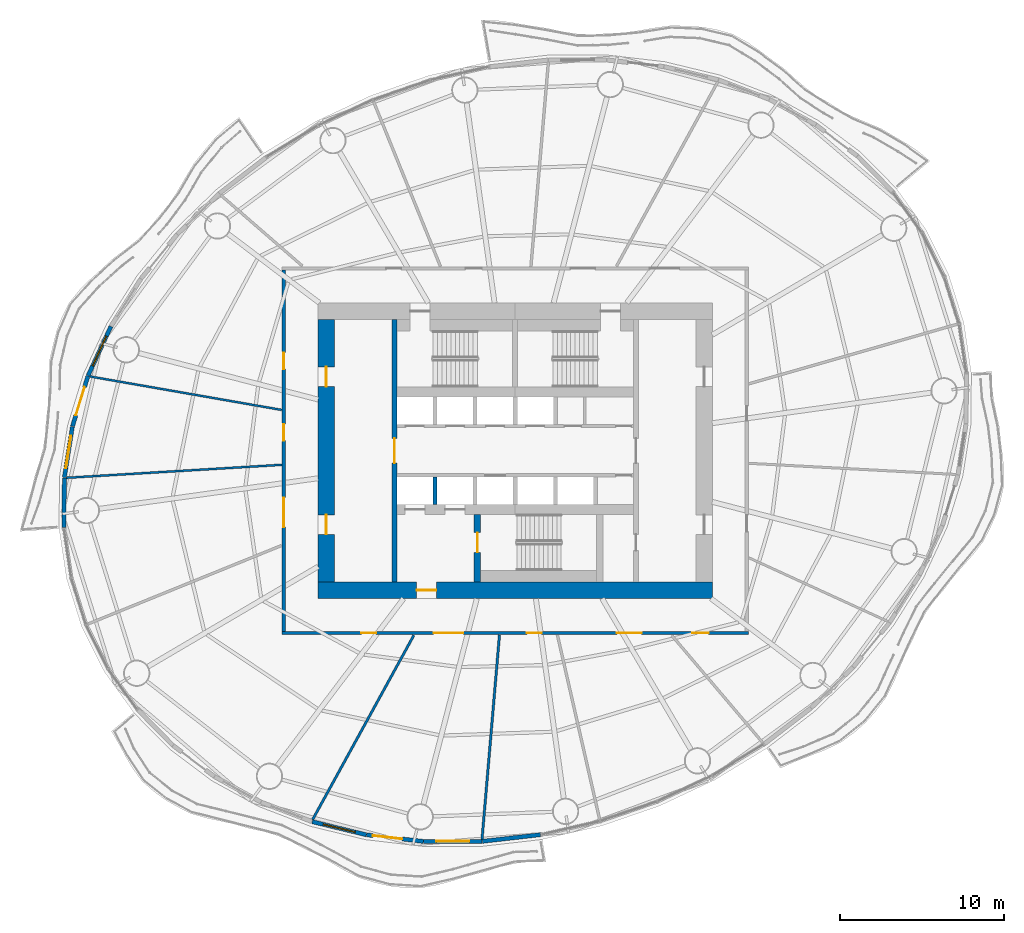
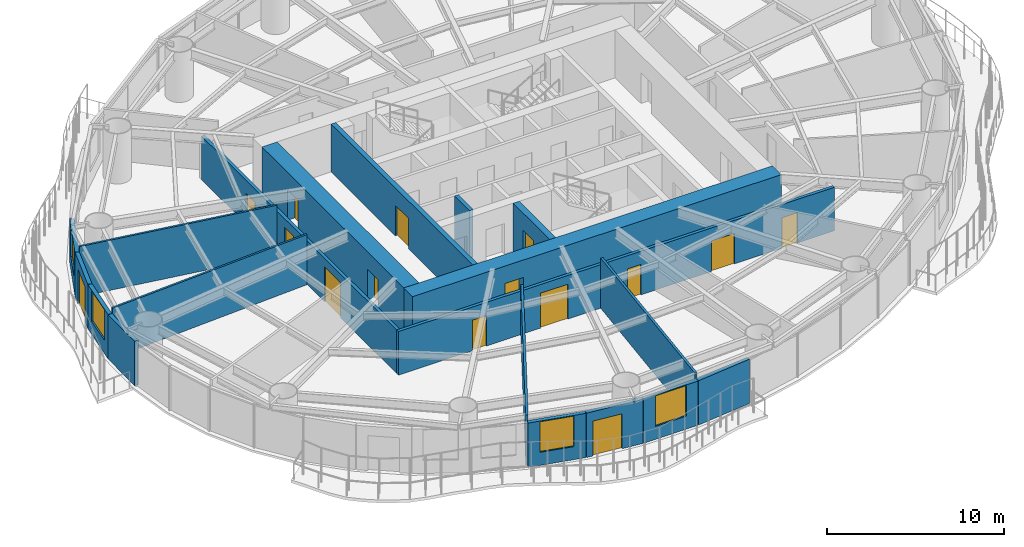
# One storey, part 7 of 15: 19 walls, 15 doors, 4 windows, 19 openings.
"""IFC4 building model written with IfcOpenShell, lengths in metres."""

from ifc_helpers import new_model, si_unit, direction, frame, frame_2d, origin, place, context, subcontext, project, spatial, rectangle, extrude, material, layer, layer_set, type_object, element, fill, save


model = new_model("IFC4")

# Units and contexts
model_context = context("Model", 3, precision=1e-05, world=origin(), true_north=direction((0.0, 1.0)))
body_context = subcontext(model_context, "Body", "Model", "MODEL_VIEW")
ifc_project = project(units=[si_unit("LENGTHUNIT", "METRE"), si_unit("AREAUNIT", "SQUARE_METRE"), si_unit("VOLUMEUNIT", "CUBIC_METRE"), si_unit("PLANEANGLEUNIT", "RADIAN"), si_unit("MASSUNIT", "GRAM", prefix="KILO")], contexts=[model_context])

# Site, building, storey
site_placement = place(None, origin())
site = spatial("IfcSite", under=ifc_project, at=site_placement, CompositionType="ELEMENT")
building_placement = place(site_placement, origin())
building = spatial("IfcBuilding", under=site, at=building_placement, Name="Vermilion Reach Broadcast Tower", CompositionType="ELEMENT")
storey_placement = place(building_placement, frame((0.0, 0.0, 121.0)))
storey = spatial("IfcBuildingStorey", under=building, at=storey_placement, Name="L28", CompositionType="ELEMENT", Elevation=121.0)

# Wall, opening, door
ifc_material_1 = material(Name="Concrete C70", Category="concrete")
ifc_layer_1 = layer(ifc_material_1, 0.300048828125)
ifc_layer_set_1 = layer_set([ifc_layer_1], Name="Core inner wall 300 mm Concrete C70")
wall_type_1 = type_object("IfcWallType", Name="Core inner wall 300 mm Concrete C70", PredefinedType="SHEAR", material=ifc_layer_set_1)
wall_1_placement = place(storey_placement, frame((-13.35009765625, 8.0, 0.0), z_axis=(0.0, 0.0, 1.0), x_axis=(0.0, -1.0, 0.0)))
wall_1 = element("IfcWall", 1, at=wall_1_placement, inside=storey, type_object=wall_type_1, Name="L28 core wall ewW", PredefinedType="SHEAR", context=body_context, shape_type="SweptSolid", body=[
    extrude(rectangle(XDim=16.0, YDim=0.300048828125, at=frame_2d((8.0, 0.0))), origin(), (0.0, 0.0, 1.0), 3.300048828125),
])
opening_1_placement = place(wall_1_placement, frame((7.25, 0.0, 0.0)))
opening_1 = element("IfcOpeningElement", 2, at=opening_1_placement, cuts=wall_1, Name="Opening D04", PredefinedType="OPENING", context=body_context, shape_type="SweptSolid", body=[
    extrude(rectangle(XDim=1.5, YDim=2.10009765625, at=frame_2d((0.75, 1.050048828125))), frame((0.0, 0.159912109375, 0.0), z_axis=(0.0, -1.0, 0.0), x_axis=(1.0, 0.0, 0.0)), (0.0, 0.0, 1.0), 0.320068359375),
])
ifc_material_2 = material(Name="Painted steel fire door", Category="steel")
door_type_1 = type_object("IfcDoorType", Name="Lift lobby door 1500 x 2100", OperationType="DOUBLE_DOOR_SINGLE_SWING", PredefinedType="NOTDEFINED", material=ifc_material_2)
door_1_placement = place(opening_1_placement, origin())
door_1 = element("IfcDoor", 3, at=door_1_placement, inside=storey, type_object=door_type_1, Name="L28 band door BW", OperationType="DOUBLE_DOOR_SINGLE_SWING", OverallHeight=2.10009765625, OverallWidth=1.5, PredefinedType="NOTDEFINED", context=body_context, shape_type="SweptSolid", body=[
    extrude(rectangle(XDim=1.5, YDim=2.10009765625, at=frame_2d((0.75, 1.050048828125))), frame((0.0, 0.02490234375, 0.0), z_axis=(0.0, -1.0, 0.0), x_axis=(1.0, 0.0, 0.0)), (0.0, 0.0, 1.0), 0.050048828125),
])
fill(opening_1, door_1)

ifc_material_3 = material(Name="Concrete C70", Category="concrete")
ifc_layer_2 = layer(ifc_material_3, 0.39990234375)
ifc_layer_set_2 = layer_set([ifc_layer_2], Name="Core inner wall 400 mm Concrete C70")
wall_type_2 = type_object("IfcWallType", Name="Core inner wall 400 mm Concrete C70", PredefinedType="SHEAR", material=ifc_layer_set_2)
wall_2_placement = place(storey_placement, frame((-8.300048828125, -3.8798828125, 0.0), z_axis=(0.0, 0.0, 1.0), x_axis=(0.0, -1.0, 0.0)))
wall_2 = element("IfcWall", 4, at=wall_2_placement, inside=storey, type_object=wall_type_2, Name="L28 core wall wa", PredefinedType="SHEAR", context=body_context, shape_type="SweptSolid", body=[
    extrude(rectangle(XDim=4.1201171875, YDim=0.39990234375, at=frame_2d((2.06005859375, 0.0))), origin(), (0.0, 0.0, 1.0), 3.300048828125),
])
opening_2_placement = place(wall_2_placement, frame((1.110107421875, 0.0, 0.0)))
opening_2 = element("IfcOpeningElement", 5, at=opening_2_placement, cuts=wall_2, Name="Opening D01", PredefinedType="OPENING", context=body_context, shape_type="SweptSolid", body=[
    extrude(rectangle(XDim=1.199951171875, YDim=2.10009765625, at=frame_2d((0.60009765625, 1.050048828125))), frame((0.0, 0.2099609375, 0.0), z_axis=(0.0, -1.0, 0.0), x_axis=(1.0, 0.0, 0.0)), (0.0, 0.0, 1.0), 0.419921875),
])
ifc_material_4 = material(Name="Painted steel fire door", Category="steel")
door_type_2 = type_object("IfcDoorType", Name="Stair door 1200 x 2100", OperationType="DOUBLE_DOOR_SINGLE_SWING", PredefinedType="NOTDEFINED", material=ifc_material_4)
door_2_placement = place(opening_2_placement, origin())
door_2 = element("IfcDoor", 6, at=door_2_placement, inside=storey, type_object=door_type_2, Name="L28 stair door ST3", OperationType="DOUBLE_DOOR_SINGLE_SWING", OverallHeight=2.10009765625, OverallWidth=1.199951171875, PredefinedType="NOTDEFINED", context=body_context, shape_type="SweptSolid", body=[
    extrude(rectangle(XDim=1.199951171875, YDim=2.10009765625, at=frame_2d((0.60009765625, 1.050048828125))), frame((0.0, 0.02490234375, 0.0), z_axis=(0.0, -1.0, 0.0), x_axis=(1.0, 0.0, 0.0)), (0.0, 0.0, 1.0), 0.050048828125),
])
fill(opening_2, door_2)

ifc_material_5 = material(Name="Concrete C70", Category="concrete")
ifc_layer_3 = layer(ifc_material_5, 1.0)
ifc_layer_set_3 = layer_set([ifc_layer_3], Name="Core outer wall 1000 mm Concrete C70")
wall_type_3 = type_object("IfcWallType", Name="Core outer wall 1000 mm Concrete C70", PredefinedType="SHEAR", material=ifc_layer_set_3)
wall_3_placement = place(storey_placement, frame((-18.0, -8.5, 0.0), z_axis=(0.0, 0.0, 1.0), x_axis=(1.0, 0.0, 0.0)))
wall_3 = element("IfcWall", 7, at=wall_3_placement, inside=storey, type_object=wall_type_3, Name="L28 core wall os", PredefinedType="SHEAR", context=body_context, shape_type="SweptSolid", body=[
    extrude(rectangle(XDim=24.0, YDim=1.0, at=frame_2d((12.0, 0.0))), origin(), (0.0, 0.0, 1.0), 3.300048828125),
])
opening_3_placement = place(wall_3_placement, frame((6.0, 0.0, 0.0)))
opening_3 = element("IfcOpeningElement", 8, at=opening_3_placement, cuts=wall_3, Name="Opening D02", PredefinedType="OPENING", context=body_context, shape_type="SweptSolid", body=[
    extrude(rectangle(XDim=1.199951171875, YDim=2.10009765625, at=frame_2d((0.60009765625, 1.050048828125))), frame((0.0, 0.510009765625, 0.0), z_axis=(0.0, -1.0, 0.0), x_axis=(1.0, 0.0, 0.0)), (0.0, 0.0, 1.0), 1.02001953125),
])
ifc_material_6 = material(Name="Painted steel fire door", Category="steel")
door_type_3 = type_object("IfcDoorType", Name="Firefighting lobby door 1200 x 2100", OperationType="DOUBLE_DOOR_SINGLE_SWING", PredefinedType="NOTDEFINED", material=ifc_material_6)
door_3_placement = place(opening_3_placement, origin())
door_3 = element("IfcDoor", 9, at=door_3_placement, inside=storey, type_object=door_type_3, Name="L28 ffdoor door FFL", OperationType="DOUBLE_DOOR_SINGLE_SWING", OverallHeight=2.10009765625, OverallWidth=1.199951171875, PredefinedType="NOTDEFINED", context=body_context, shape_type="SweptSolid", body=[
    extrude(rectangle(XDim=1.199951171875, YDim=2.10009765625, at=frame_2d((0.60009765625, 1.050048828125))), frame((0.0, 0.02490234375, 0.0), z_axis=(0.0, -1.0, 0.0), x_axis=(1.0, 0.0, 0.0)), (0.0, 0.0, 1.0), 0.050048828125),
])
fill(opening_3, door_3)

# Wall, openings, doors
wall_4_placement = place(storey_placement, frame((-17.5, 8.0, 0.0), z_axis=(0.0, 0.0, 1.0), x_axis=(0.0, -1.0, 0.0)))
wall_4 = element("IfcWall", 10, at=wall_4_placement, inside=storey, type_object=wall_type_3, Name="L28 core wall ow", PredefinedType="SHEAR", context=body_context, shape_type="SweptSolid", body=[
    extrude(rectangle(XDim=16.0, YDim=1.0, at=frame_2d((8.0, 0.0))), origin(), (0.0, 0.0, 1.0), 3.300048828125),
])
opening_4_placement = place(wall_4_placement, frame((11.89990234375, 0.0, 0.0)))
opening_4 = element("IfcOpeningElement", 11, at=opening_4_placement, cuts=wall_4, Name="Opening D03", PredefinedType="OPENING", context=body_context, shape_type="SweptSolid", body=[
    extrude(rectangle(XDim=1.199951171875, YDim=2.10009765625, at=frame_2d((0.60009765625, 1.050048828125))), frame((0.0, 0.510009765625, 0.0), z_axis=(0.0, -1.0, 0.0), x_axis=(1.0, 0.0, 0.0)), (0.0, 0.0, 1.0), 1.02001953125),
])
opening_5_placement = place(wall_4_placement, frame((2.89990234375, 0.0, 0.0)))
opening_5 = element("IfcOpeningElement", 12, at=opening_5_placement, cuts=wall_4, Name="Opening D03", PredefinedType="OPENING", context=body_context, shape_type="SweptSolid", body=[
    extrude(rectangle(XDim=1.199951171875, YDim=2.10009765625, at=frame_2d((0.60009765625, 1.050048828125))), frame((0.0, 0.510009765625, 0.0), z_axis=(0.0, -1.0, 0.0), x_axis=(1.0, 0.0, 0.0)), (0.0, 0.0, 1.0), 1.02001953125),
])
ifc_material_7 = material(Name="Painted steel fire door", Category="steel")
door_type_4 = type_object("IfcDoorType", Name="Core lobby door 1200 x 2100", OperationType="DOUBLE_DOOR_SINGLE_SWING", PredefinedType="NOTDEFINED", material=ifc_material_7)
door_4_placement = place(opening_4_placement, origin())
door_4 = element("IfcDoor", 13, at=door_4_placement, inside=storey, type_object=door_type_4, Name="L28 slot door W0", OperationType="DOUBLE_DOOR_SINGLE_SWING", OverallHeight=2.10009765625, OverallWidth=1.199951171875, PredefinedType="NOTDEFINED", context=body_context, shape_type="SweptSolid", body=[
    extrude(rectangle(XDim=1.199951171875, YDim=2.10009765625, at=frame_2d((0.60009765625, 1.050048828125))), frame((0.0, 0.02490234375, 0.0), z_axis=(0.0, -1.0, 0.0), x_axis=(1.0, 0.0, 0.0)), (0.0, 0.0, 1.0), 0.050048828125),
])
fill(opening_4, door_4)
door_5_placement = place(opening_5_placement, origin())
door_5 = element("IfcDoor", 14, at=door_5_placement, inside=storey, type_object=door_type_4, Name="L28 slot door W1", OperationType="DOUBLE_DOOR_SINGLE_SWING", OverallHeight=2.10009765625, OverallWidth=1.199951171875, PredefinedType="NOTDEFINED", context=body_context, shape_type="SweptSolid", body=[
    extrude(rectangle(XDim=1.199951171875, YDim=2.10009765625, at=frame_2d((0.60009765625, 1.050048828125))), frame((0.0, 0.02490234375, 0.0), z_axis=(0.0, -1.0, 0.0), x_axis=(1.0, 0.0, 0.0)), (0.0, 0.0, 1.0), 0.050048828125),
])
fill(opening_5, door_5)

# Walls
ifc_material_8 = material(Name="Concrete C50", Category="concrete")
ifc_layer_4 = layer(ifc_material_8, 0.25)
ifc_layer_set_4 = layer_set([ifc_layer_4], Name="Core shaft wall 250 mm Concrete C50")
wall_type_4 = type_object("IfcWallType", Name="Core shaft wall 250 mm Concrete C50", PredefinedType="SHEAR", material=ifc_layer_set_4)
wall_5_placement = place(storey_placement, frame((-10.88330078125, -1.60009765625, 0.0), z_axis=(0.0, 0.0, 1.0), x_axis=(0.0, -1.0, 0.0)))
element("IfcWall", 15, at=wall_5_placement, inside=storey, type_object=wall_type_4, Name="L28 core wall psS0", PredefinedType="SHEAR", context=body_context, shape_type="SweptSolid", body=[
    extrude(rectangle(XDim=1.679931640625, YDim=0.25, at=frame_2d((0.83984375, 0.0))), origin(), (0.0, 0.0, 1.0), 3.300048828125),
])
ifc_material_9 = material(Name="Fire-rated plasterboard on steel stud", Category="steel")
ifc_layer_5 = layer(ifc_material_9, 0.125)
ifc_layer_set_5 = layer_set([ifc_layer_5], Name="Partition 125 fire-rated stud")
wall_type_5 = type_object("IfcWallType", Name="Partition 125 fire-rated stud", PredefinedType="PARTITIONING", material=ifc_layer_set_5)
wall_6_placement = place(storey_placement, frame((-31.889404296875, 4.520751953125, 0.0), z_axis=(0.0, 0.0, 1.0), x_axis=(0.985094389191, -0.172014663285, 0.0)))
element("IfcWall", 16, at=wall_6_placement, inside=storey, type_object=wall_type_5, Name="Partition 28.05", PredefinedType="PARTITIONING", context=body_context, shape_type="SweptSolid", body=[
    extrude(rectangle(XDim=11.85546875, YDim=0.125, at=frame_2d((5.927734375, 0.0))), origin(), (0.0, 0.0, 1.0), 3.449951171875),
])
wall_7_placement = place(storey_placement, frame((-33.324462890625, -1.650390625, 0.0), z_axis=(0.0, 0.0, 1.0), x_axis=(0.998180914555, 0.060289815203, 0.0)))
element("IfcWall", 17, at=wall_7_placement, inside=storey, type_object=wall_type_5, Name="Partition 28.06", PredefinedType="PARTITIONING", context=body_context, shape_type="SweptSolid", body=[
    extrude(rectangle(XDim=13.14453125, YDim=0.125, at=frame_2d((6.572265625, 0.0))), origin(), (0.0, 0.0, 1.0), 3.449951171875),
])
ifc_material_10 = material(Name="Lightweight concrete block, plastered", Category="concrete")
ifc_layer_6 = layer(ifc_material_10, 0.14990234375)
ifc_layer_set_6 = layer_set([ifc_layer_6], Name="Partition 150 lightweight block")
wall_type_6 = type_object("IfcWallType", Name="Partition 150 lightweight block", PredefinedType="PARTITIONING", material=ifc_layer_set_6)
wall_8_placement = place(storey_placement, frame((-18.3359375, -22.463134765625, 0.0), z_axis=(0.0, 0.0, 1.0), x_axis=(0.481358172348, 0.876523992777, 0.0)))
element("IfcWall", 18, at=wall_8_placement, inside=storey, type_object=wall_type_6, Name="Partition 28.08", PredefinedType="PARTITIONING", context=body_context, shape_type="SweptSolid", body=[
    extrude(rectangle(XDim=12.80859375, YDim=0.14990234375, at=frame_2d((6.404296875, 0.0))), origin(), (0.0, 0.0, 1.0), 3.449951171875),
])
wall_9_placement = place(storey_placement, frame((-8.02001953125, -23.659912109375, 0.0), z_axis=(0.0, 0.0, 1.0), x_axis=(0.085065958211, 0.996375322232, 0.0)))
element("IfcWall", 19, at=wall_9_placement, inside=storey, type_object=wall_type_6, Name="Partition 28.09", PredefinedType="PARTITIONING", context=body_context, shape_type="SweptSolid", body=[
    extrude(rectangle(XDim=12.4990234375, YDim=0.14990234375, at=frame_2d((6.24951171875, 0.0))), origin(), (0.0, 0.0, 1.0), 3.449951171875),
])

# Wall, opening, window
ifc_material_11 = material(Name="Terracotta rainscreen cladding", Category="masonry")
ifc_layer_7 = layer(ifc_material_11, 0.25)
ifc_layer_set_7 = layer_set([ifc_layer_7], Name="Terracotta rainscreen wall 250")
wall_type_7 = type_object("IfcWallType", Name="Terracotta rainscreen wall 250", PredefinedType="SOLIDWALL", material=ifc_layer_set_7)
wall_10_placement = place(storey_placement, frame((-30.614013671875, 7.56982421875, 0.0), z_axis=(0.0, 0.0, 1.0), x_axis=(-0.420461012784, -0.907310606534, 0.0)))
wall_10 = element("IfcWall", 20, at=wall_10_placement, inside=storey, type_object=wall_type_7, Name="External wall L28 18", PredefinedType="SOLIDWALL", context=body_context, shape_type="SweptSolid", body=[
    extrude(rectangle(XDim=3.298583984375, YDim=0.25, at=frame_2d((1.6494140625, 0.0))), origin(), (0.0, 0.0, 1.0), 3.050048828125),
])
opening_6_placement = place(wall_10_placement, frame((0.6494140625, 0.0, 0.89990234375)))
opening_6 = element("IfcOpeningElement", 21, at=opening_6_placement, cuts=wall_10, Name="Opening W03", PredefinedType="OPENING", context=body_context, shape_type="SweptSolid", body=[
    extrude(rectangle(XDim=2.0, YDim=2.10009765625, at=frame_2d((1.0, 1.050048828125))), frame((0.0, 0.135009765625, 0.0), z_axis=(0.0, -1.0, 0.0), x_axis=(1.0, 0.0, 0.0)), (0.0, 0.0, 1.0), 0.27001953125),
])
ifc_material_12 = material(Name="Low-e laminated clear glass in aluminium frame", Category="aluminium")
window_type = type_object("IfcWindowType", Name="Punched window 2000 x 2100 sill 900", PartitioningType="SINGLE_PANEL", PredefinedType="WINDOW", material=ifc_material_12)
window_1_placement = place(opening_6_placement, origin())
window_1 = element("IfcWindow", 22, at=window_1_placement, inside=storey, type_object=window_type, Name="Window L28 18", OverallHeight=2.10009765625, OverallWidth=2.0, PartitioningType="SINGLE_PANEL", PredefinedType="WINDOW", context=body_context, shape_type="SweptSolid", body=[
    extrude(rectangle(XDim=2.0, YDim=2.10009765625, at=frame_2d((1.0, 1.050048828125))), frame((0.0, 0.030029296875, 0.0), z_axis=(0.0, -1.0, 0.0), x_axis=(1.0, 0.0, 0.0)), (0.0, 0.0, 1.0), 0.06005859375),
])
fill(opening_6, window_1)

# Wall, opening, door
wall_11_placement = place(storey_placement, frame((-32.009765625, 4.5537109375, 0.0), z_axis=(0.0, 0.0, 1.0), x_axis=(-0.294326394651, -0.955704961488, 0.0)))
wall_11 = element("IfcWall", 23, at=wall_11_placement, inside=storey, type_object=wall_type_7, Name="External wall L28 19", PredefinedType="SOLIDWALL", context=body_context, shape_type="SweptSolid", body=[
    extrude(rectangle(XDim=3.209228515625, YDim=0.25, at=frame_2d((1.6044921875, 0.0))), origin(), (0.0, 0.0, 1.0), 3.050048828125),
])
opening_7_placement = place(wall_11_placement, frame((0.705078125, 0.0, 0.0)))
opening_7 = element("IfcOpeningElement", 24, at=opening_7_placement, cuts=wall_11, Name="Opening D70", PredefinedType="OPENING", context=body_context, shape_type="SweptSolid", body=[
    extrude(rectangle(XDim=1.800048828125, YDim=2.39990234375, at=frame_2d((0.89990234375, 1.199951171875))), frame((0.0, 0.135009765625, 0.0), z_axis=(0.0, -1.0, 0.0), x_axis=(1.0, 0.0, 0.0)), (0.0, 0.0, 1.0), 0.27001953125),
])
ifc_material_13 = material(Name="Low-e laminated clear glass in aluminium frame", Category="aluminium")
door_type_5 = type_object("IfcDoorType", Name="Balcony sliding door 1800 x 2400", OperationType="DOUBLE_DOOR_SLIDING", PredefinedType="DOOR", material=ifc_material_13)
door_6_placement = place(opening_7_placement, origin())
door_6 = element("IfcDoor", 25, at=door_6_placement, inside=storey, type_object=door_type_5, Name="Balcony door L28 run 05", OperationType="DOUBLE_DOOR_SLIDING", OverallHeight=2.39990234375, OverallWidth=1.800048828125, PredefinedType="DOOR", context=body_context, shape_type="SweptSolid", body=[
    extrude(rectangle(XDim=1.800048828125, YDim=2.39990234375, at=frame_2d((0.89990234375, 1.199951171875))), frame((0.0, 0.02490234375, 0.0), z_axis=(0.0, -1.0, 0.0), x_axis=(1.0, 0.0, 0.0)), (0.0, 0.0, 1.0), 0.050048828125),
])
fill(opening_7, door_6)

# Wall, opening, window
wall_12_placement = place(storey_placement, frame((-32.9599609375, 1.46142578125, 0.0), z_axis=(0.0, 0.0, 1.0), x_axis=(-0.155782128251, -0.987791439788, 0.0)))
wall_12 = element("IfcWall", 26, at=wall_12_placement, inside=storey, type_object=wall_type_7, Name="External wall L28 20", PredefinedType="SOLIDWALL", context=body_context, shape_type="SweptSolid", body=[
    extrude(rectangle(XDim=3.12646484375, YDim=0.25, at=frame_2d((1.563232421875, 0.0))), origin(), (0.0, 0.0, 1.0), 3.050048828125),
])
opening_8_placement = place(wall_12_placement, frame((0.563232421875, 0.0, 0.89990234375)))
opening_8 = element("IfcOpeningElement", 27, at=opening_8_placement, cuts=wall_12, Name="Opening W03", PredefinedType="OPENING", context=body_context, shape_type="SweptSolid", body=[
    extrude(rectangle(XDim=2.0, YDim=2.10009765625, at=frame_2d((1.0, 1.050048828125))), frame((0.0, 0.135009765625, 0.0), z_axis=(0.0, -1.0, 0.0), x_axis=(1.0, 0.0, 0.0)), (0.0, 0.0, 1.0), 0.27001953125),
])
window_2_placement = place(opening_8_placement, origin())
window_2 = element("IfcWindow", 28, at=window_2_placement, inside=storey, type_object=window_type, Name="Window L28 20", OverallHeight=2.10009765625, OverallWidth=2.0, PartitioningType="SINGLE_PANEL", PredefinedType="WINDOW", context=body_context, shape_type="SweptSolid", body=[
    extrude(rectangle(XDim=2.0, YDim=2.10009765625, at=frame_2d((1.0, 1.050048828125))), frame((0.0, 0.030029296875, 0.0), z_axis=(0.0, -1.0, 0.0), x_axis=(1.0, 0.0, 0.0)), (0.0, 0.0, 1.0), 0.06005859375),
])
fill(opening_8, window_2)

# Wall
wall_13_placement = place(storey_placement, frame((-33.44921875, -1.6533203125, 0.0), z_axis=(0.0, 0.0, 1.0), x_axis=(-0.007366431712, -0.999972867474, 0.0)))
element("IfcWall", 29, at=wall_13_placement, inside=storey, type_object=wall_type_7, Name="External wall L28 21", PredefinedType="SOLIDWALL", context=body_context, shape_type="SweptSolid", body=[
    extrude(rectangle(XDim=3.015869140625, YDim=0.25, at=frame_2d((1.5078125, 0.0))), origin(), (0.0, 0.0, 1.0), 3.050048828125),
])

# Wall, opening, window
wall_14_placement = place(storey_placement, frame((-18.361328125, -22.58544921875, 0.0), z_axis=(0.0, 0.0, 1.0), x_axis=(0.971871596081, -0.235511360088, 0.0)))
wall_14 = element("IfcWall", 30, at=wall_14_placement, inside=storey, type_object=wall_type_7, Name="External wall L28 30", PredefinedType="SOLIDWALL", context=body_context, shape_type="SweptSolid", body=[
    extrude(rectangle(XDim=3.388671875, YDim=0.25, at=frame_2d((1.6943359375, 0.0))), origin(), (0.0, 0.0, 1.0), 3.050048828125),
])
opening_9_placement = place(wall_14_placement, frame((0.694580078125, 0.0, 0.89990234375)))
opening_9 = element("IfcOpeningElement", 31, at=opening_9_placement, cuts=wall_14, Name="Opening W03", PredefinedType="OPENING", context=body_context, shape_type="SweptSolid", body=[
    extrude(rectangle(XDim=2.0, YDim=2.10009765625, at=frame_2d((1.0, 1.050048828125))), frame((0.0, 0.135009765625, 0.0), z_axis=(0.0, -1.0, 0.0), x_axis=(1.0, 0.0, 0.0)), (0.0, 0.0, 1.0), 0.27001953125),
])
window_3_placement = place(opening_9_placement, origin())
window_3 = element("IfcWindow", 32, at=window_3_placement, inside=storey, type_object=window_type, Name="Window L28 30", OverallHeight=2.10009765625, OverallWidth=2.0, PartitioningType="SINGLE_PANEL", PredefinedType="WINDOW", context=body_context, shape_type="SweptSolid", body=[
    extrude(rectangle(XDim=2.0, YDim=2.10009765625, at=frame_2d((1.0, 1.050048828125))), frame((0.0, 0.030029296875, 0.0), z_axis=(0.0, -1.0, 0.0), x_axis=(1.0, 0.0, 0.0)), (0.0, 0.0, 1.0), 0.06005859375),
])
fill(opening_9, window_3)

# Wall, opening, door
wall_15_placement = place(storey_placement, frame((-15.044921875, -23.3876953125, 0.0), z_axis=(0.0, 0.0, 1.0), x_axis=(0.993327429038, -0.115328308409, 0.0)))
wall_15 = element("IfcWall", 33, at=wall_15_placement, inside=storey, type_object=wall_type_7, Name="External wall L28 31", PredefinedType="SOLIDWALL", context=body_context, shape_type="SweptSolid", body=[
    extrude(rectangle(XDim=3.473876953125, YDim=0.25, at=frame_2d((1.73681640625, 0.0))), origin(), (0.0, 0.0, 1.0), 3.050048828125),
])
opening_10_placement = place(wall_15_placement, frame((0.386962890625, 0.0, 0.0)))
opening_10 = element("IfcOpeningElement", 34, at=opening_10_placement, cuts=wall_15, Name="Opening D70", PredefinedType="OPENING", context=body_context, shape_type="SweptSolid", body=[
    extrude(rectangle(XDim=1.800048828125, YDim=2.39990234375, at=frame_2d((0.89990234375, 1.199951171875))), frame((0.0, 0.135009765625, 0.0), z_axis=(0.0, -1.0, 0.0), x_axis=(1.0, 0.0, 0.0)), (0.0, 0.0, 1.0), 0.27001953125),
])
door_7_placement = place(opening_10_placement, origin())
door_7 = element("IfcDoor", 35, at=door_7_placement, inside=storey, type_object=door_type_5, Name="Balcony door L28 run 08", OperationType="DOUBLE_DOOR_SLIDING", OverallHeight=2.39990234375, OverallWidth=1.800048828125, PredefinedType="DOOR", context=body_context, shape_type="SweptSolid", body=[
    extrude(rectangle(XDim=1.800048828125, YDim=2.39990234375, at=frame_2d((0.89990234375, 1.199951171875))), frame((0.0, 0.02490234375, 0.0), z_axis=(0.0, -1.0, 0.0), x_axis=(1.0, 0.0, 0.0)), (0.0, 0.0, 1.0), 0.050048828125),
])
fill(opening_10, door_7)

# Wall, opening, window
wall_16_placement = place(storey_placement, frame((-11.57177734375, -23.78955078125, 0.0), z_axis=(0.0, 0.0, 1.0), x_axis=(0.999999145394, 0.001307368318, 0.0)))
wall_16 = element("IfcWall", 36, at=wall_16_placement, inside=storey, type_object=wall_type_7, Name="External wall L28 32", PredefinedType="SOLIDWALL", context=body_context, shape_type="SweptSolid", body=[
    extrude(rectangle(XDim=3.548095703125, YDim=0.25, at=frame_2d((1.77392578125, 0.0))), origin(), (0.0, 0.0, 1.0), 3.050048828125),
])
opening_11_placement = place(wall_16_placement, frame((0.77392578125, 0.0, 0.89990234375)))
opening_11 = element("IfcOpeningElement", 37, at=opening_11_placement, cuts=wall_16, Name="Opening W03", PredefinedType="OPENING", context=body_context, shape_type="SweptSolid", body=[
    extrude(rectangle(XDim=2.0, YDim=2.10009765625, at=frame_2d((1.0, 1.050048828125))), frame((0.0, 0.135009765625, 0.0), z_axis=(0.0, -1.0, 0.0), x_axis=(1.0, 0.0, 0.0)), (0.0, 0.0, 1.0), 0.27001953125),
])
window_4_placement = place(opening_11_placement, origin())
window_4 = element("IfcWindow", 38, at=window_4_placement, inside=storey, type_object=window_type, Name="Window L28 32", OverallHeight=2.10009765625, OverallWidth=2.0, PartitioningType="SINGLE_PANEL", PredefinedType="WINDOW", context=body_context, shape_type="SweptSolid", body=[
    extrude(rectangle(XDim=2.0, YDim=2.10009765625, at=frame_2d((1.0, 1.050048828125))), frame((0.0, 0.030029296875, 0.0), z_axis=(0.0, -1.0, 0.0), x_axis=(1.0, 0.0, 0.0)), (0.0, 0.0, 1.0), 0.06005859375),
])
fill(opening_11, window_4)

# Wall
wall_17_placement = place(storey_placement, frame((-8.001708984375, -23.783447265625, 0.0), z_axis=(0.0, 0.0, 1.0), x_axis=(0.993503711569, 0.113799714842, 0.0)))
element("IfcWall", 39, at=wall_17_placement, inside=storey, type_object=wall_type_7, Name="External wall L28 33", PredefinedType="SOLIDWALL", context=body_context, shape_type="SweptSolid", body=[
    extrude(rectangle(XDim=3.5634765625, YDim=0.25, at=frame_2d((1.78173828125, 0.0))), origin(), (0.0, 0.0, 1.0), 3.050048828125),
])

# Wall, openings, doors
ifc_material_14 = material(Name="Fire-rated gypsum board partition")
ifc_layer_8 = layer(ifc_material_14, 0.199951171875)
ifc_layer_set_8 = layer_set([ifc_layer_8], Name="Under girder: Corridor wall 200 fire-rated")
wall_type_8 = type_object("IfcWallType", Name="Under girder: Corridor wall 200 fire-rated", PredefinedType="PARTITIONING", material=ifc_layer_set_8)
wall_18_placement = place(storey_placement, frame((8.199951171875, -11.10009765625, 0.0), z_axis=(0.0, 0.0, 1.0), x_axis=(-1.0, 0.0, 0.0)))
wall_18 = element("IfcWall", 40, at=wall_18_placement, inside=storey, type_object=wall_type_8, Name="Corridor wall 28.S", PredefinedType="PARTITIONING", context=body_context, shape_type="SweptSolid", body=[
    extrude(rectangle(XDim=28.39990234375, YDim=0.199951171875, at=frame_2d((14.199951171875, 0.0))), origin(), (0.0, 0.0, 1.0), 3.0),
])
opening_12_placement = place(wall_18_placement, frame((22.66552734375, 0.0, 0.0)))
opening_12 = element("IfcOpeningElement", 41, at=opening_12_placement, cuts=wall_18, Name="Opening D22", PredefinedType="OPENING", context=body_context, shape_type="SweptSolid", body=[
    extrude(rectangle(XDim=0.89990234375, YDim=2.10009765625, at=frame_2d((0.449951171875, 1.050048828125))), frame((0.0, 0.10986328125, 0.0), z_axis=(0.0, -1.0, 0.0), x_axis=(1.0, 0.0, 0.0)), (0.0, 0.0, 1.0), 0.219970703125),
])
opening_13_placement = place(wall_18_placement, frame((17.3623046875, 0.0, 0.0)))
opening_13 = element("IfcOpeningElement", 42, at=opening_13_placement, cuts=wall_18, Name="Opening D27", PredefinedType="OPENING", context=body_context, shape_type="SweptSolid", body=[
    extrude(rectangle(XDim=1.800048828125, YDim=2.39990234375, at=frame_2d((0.89990234375, 1.199951171875))), frame((0.0, 0.10986328125, 0.0), z_axis=(0.0, -1.0, 0.0), x_axis=(1.0, 0.0, 0.0)), (0.0, 0.0, 1.0), 0.219970703125),
])
opening_14_placement = place(wall_18_placement, frame((12.591552734375, 0.0, 0.0)))
opening_14 = element("IfcOpeningElement", 43, at=opening_14_placement, cuts=wall_18, Name="Opening D22", PredefinedType="OPENING", context=body_context, shape_type="SweptSolid", body=[
    extrude(rectangle(XDim=0.89990234375, YDim=2.10009765625, at=frame_2d((0.449951171875, 1.050048828125))), frame((0.0, 0.10986328125, 0.0), z_axis=(0.0, -1.0, 0.0), x_axis=(1.0, 0.0, 0.0)), (0.0, 0.0, 1.0), 0.219970703125),
])
opening_15_placement = place(wall_18_placement, frame((6.50390625, 0.0, 0.0)))
opening_15 = element("IfcOpeningElement", 44, at=opening_15_placement, cuts=wall_18, Name="Opening D24", PredefinedType="OPENING", context=body_context, shape_type="SweptSolid", body=[
    extrude(rectangle(XDim=1.5, YDim=2.10009765625, at=frame_2d((0.75, 1.050048828125))), frame((0.0, 0.10986328125, 0.0), z_axis=(0.0, -1.0, 0.0), x_axis=(1.0, 0.0, 0.0)), (0.0, 0.0, 1.0), 0.219970703125),
])
opening_16_placement = place(wall_18_placement, frame((2.42333984375, 0.0, 0.0)))
opening_16 = element("IfcOpeningElement", 45, at=opening_16_placement, cuts=wall_18, Name="Opening D20", PredefinedType="OPENING", context=body_context, shape_type="SweptSolid", body=[
    extrude(rectangle(XDim=1.0, YDim=2.10009765625, at=frame_2d((0.5, 1.050048828125))), frame((0.0, 0.10986328125, 0.0), z_axis=(0.0, -1.0, 0.0), x_axis=(1.0, 0.0, 0.0)), (0.0, 0.0, 1.0), 0.219970703125),
])
ifc_material_15 = material(Name="Timber door leaf", Category="wood")
door_type_6 = type_object("IfcDoorType", Name="Door pair 1500x2100", OperationType="NOTDEFINED", PredefinedType="DOOR", material=ifc_material_15)
door_8_placement = place(opening_15_placement, origin())
door_8 = element("IfcDoor", 46, at=door_8_placement, inside=storey, type_object=door_type_6, Name="Door 28.10", OperationType="DOUBLE_DOOR_SINGLE_SWING", OverallHeight=2.10009765625, OverallWidth=1.5, PredefinedType="DOOR", context=body_context, shape_type="SweptSolid", body=[
    extrude(rectangle(XDim=1.5, YDim=2.10009765625, at=frame_2d((0.75, 1.050048828125))), frame((0.0, 0.02490234375, 0.0), z_axis=(0.0, -1.0, 0.0), x_axis=(1.0, 0.0, 0.0)), (0.0, 0.0, 1.0), 0.050048828125),
])
fill(opening_15, door_8)
ifc_material_16 = material(Name="Acoustic timber door leaf", Category="wood")
door_type_7 = type_object("IfcDoorType", Name="Door pair 1800x2400", OperationType="NOTDEFINED", PredefinedType="DOOR", material=ifc_material_16)
door_9_placement = place(opening_13_placement, origin())
door_9 = element("IfcDoor", 47, at=door_9_placement, inside=storey, type_object=door_type_7, Name="Door 28.08", OperationType="DOUBLE_DOOR_SINGLE_SWING", OverallHeight=2.39990234375, OverallWidth=1.800048828125, PredefinedType="DOOR", context=body_context, shape_type="SweptSolid", body=[
    extrude(rectangle(XDim=1.800048828125, YDim=2.39990234375, at=frame_2d((0.89990234375, 1.199951171875))), frame((0.0, 0.02490234375, 0.0), z_axis=(0.0, -1.0, 0.0), x_axis=(1.0, 0.0, 0.0)), (0.0, 0.0, 1.0), 0.050048828125),
])
fill(opening_13, door_9)
ifc_material_17 = material(Name="Timber door leaf", Category="wood")
door_type_8 = type_object("IfcDoorType", Name="Door single 1000x2100", OperationType="NOTDEFINED", PredefinedType="DOOR", material=ifc_material_17)
door_10_placement = place(opening_16_placement, origin())
door_10 = element("IfcDoor", 48, at=door_10_placement, inside=storey, type_object=door_type_8, Name="Door 28.11", OperationType="SINGLE_SWING_RIGHT", OverallHeight=2.10009765625, OverallWidth=1.0, PredefinedType="DOOR", context=body_context, shape_type="SweptSolid", body=[
    extrude(rectangle(XDim=1.0, YDim=2.10009765625, at=frame_2d((0.5, 1.050048828125))), frame((0.0, 0.02490234375, 0.0), z_axis=(0.0, -1.0, 0.0), x_axis=(1.0, 0.0, 0.0)), (0.0, 0.0, 1.0), 0.050048828125),
])
fill(opening_16, door_10)
ifc_material_18 = material(Name="Timber door leaf", Category="wood")
door_type_9 = type_object("IfcDoorType", Name="Door single 900x2100", OperationType="NOTDEFINED", PredefinedType="DOOR", material=ifc_material_18)
door_11_placement = place(opening_12_placement, origin())
door_11 = element("IfcDoor", 49, at=door_11_placement, inside=storey, type_object=door_type_9, Name="Door 28.07", OperationType="SINGLE_SWING_LEFT", OverallHeight=2.10009765625, OverallWidth=0.89990234375, PredefinedType="DOOR", context=body_context, shape_type="SweptSolid", body=[
    extrude(rectangle(XDim=0.89990234375, YDim=2.10009765625, at=frame_2d((0.449951171875, 1.050048828125))), frame((0.0, 0.02490234375, 0.0), z_axis=(0.0, -1.0, 0.0), x_axis=(1.0, 0.0, 0.0)), (0.0, 0.0, 1.0), 0.050048828125),
])
fill(opening_12, door_11)
door_12_placement = place(opening_14_placement, origin())
door_12 = element("IfcDoor", 50, at=door_12_placement, inside=storey, type_object=door_type_9, Name="Door 28.09", OperationType="SINGLE_SWING_LEFT", OverallHeight=2.10009765625, OverallWidth=0.89990234375, PredefinedType="DOOR", context=body_context, shape_type="SweptSolid", body=[
    extrude(rectangle(XDim=0.89990234375, YDim=2.10009765625, at=frame_2d((0.449951171875, 1.050048828125))), frame((0.0, 0.02490234375, 0.0), z_axis=(0.0, -1.0, 0.0), x_axis=(1.0, 0.0, 0.0)), (0.0, 0.0, 1.0), 0.050048828125),
])
fill(opening_14, door_12)

wall_19_placement = place(storey_placement, frame((-20.10009765625, -11.0, 0.0), z_axis=(0.0, 0.0, 1.0), x_axis=(0.0, 1.0, 0.0)))
wall_19 = element("IfcWall", 51, at=wall_19_placement, inside=storey, type_object=wall_type_8, Name="Corridor wall 28.W", PredefinedType="PARTITIONING", context=body_context, shape_type="SweptSolid", body=[
    extrude(rectangle(XDim=22.0, YDim=0.199951171875, at=frame_2d((11.0, 0.0))), origin(), (0.0, 0.0, 1.0), 3.0),
])
opening_17_placement = place(wall_19_placement, frame((15.965576171875, 0.0, 0.0)))
opening_17 = element("IfcOpeningElement", 52, at=opening_17_placement, cuts=wall_19, Name="Opening D20", PredefinedType="OPENING", context=body_context, shape_type="SweptSolid", body=[
    extrude(rectangle(XDim=1.0, YDim=2.10009765625, at=frame_2d((0.5, 1.050048828125))), frame((0.0, 0.10986328125, 0.0), z_axis=(0.0, -1.0, 0.0), x_axis=(1.0, 0.0, 0.0)), (0.0, 0.0, 1.0), 0.219970703125),
])
opening_18_placement = place(wall_19_placement, frame((11.61328125, 0.0, 0.0)))
opening_18 = element("IfcOpeningElement", 53, at=opening_18_placement, cuts=wall_19, Name="Opening D23", PredefinedType="OPENING", context=body_context, shape_type="SweptSolid", body=[
    extrude(rectangle(XDim=1.0, YDim=2.39990234375, at=frame_2d((0.5, 1.199951171875))), frame((0.0, 0.10986328125, 0.0), z_axis=(0.0, -1.0, 0.0), x_axis=(1.0, 0.0, 0.0)), (0.0, 0.0, 1.0), 0.219970703125),
])
opening_19_placement = place(wall_19_placement, frame((6.340576171875, 0.0, 0.0)))
opening_19 = element("IfcOpeningElement", 54, at=opening_19_placement, cuts=wall_19, Name="Opening D27", PredefinedType="OPENING", context=body_context, shape_type="SweptSolid", body=[
    extrude(rectangle(XDim=1.800048828125, YDim=2.39990234375, at=frame_2d((0.89990234375, 1.199951171875))), frame((0.0, 0.10986328125, 0.0), z_axis=(0.0, -1.0, 0.0), x_axis=(1.0, 0.0, 0.0)), (0.0, 0.0, 1.0), 0.219970703125),
])
door_13_placement = place(opening_19_placement, origin())
door_13 = element("IfcDoor", 55, at=door_13_placement, inside=storey, type_object=door_type_7, Name="Door 28.06", OperationType="DOUBLE_DOOR_SINGLE_SWING", OverallHeight=2.39990234375, OverallWidth=1.800048828125, PredefinedType="DOOR", context=body_context, shape_type="SweptSolid", body=[
    extrude(rectangle(XDim=1.800048828125, YDim=2.39990234375, at=frame_2d((0.89990234375, 1.199951171875))), frame((0.0, 0.02490234375, 0.0), z_axis=(0.0, -1.0, 0.0), x_axis=(1.0, 0.0, 0.0)), (0.0, 0.0, 1.0), 0.050048828125),
])
fill(opening_19, door_13)
door_14_placement = place(opening_17_placement, origin())
door_14 = element("IfcDoor", 56, at=door_14_placement, inside=storey, type_object=door_type_8, Name="Door 28.04", OperationType="SINGLE_SWING_LEFT", OverallHeight=2.10009765625, OverallWidth=1.0, PredefinedType="DOOR", context=body_context, shape_type="SweptSolid", body=[
    extrude(rectangle(XDim=1.0, YDim=2.10009765625, at=frame_2d((0.5, 1.050048828125))), frame((0.0, 0.02490234375, 0.0), z_axis=(0.0, -1.0, 0.0), x_axis=(1.0, 0.0, 0.0)), (0.0, 0.0, 1.0), 0.050048828125),
])
fill(opening_17, door_14)
ifc_material_19 = material(Name="Veneered timber door leaf", Category="wood")
door_type_10 = type_object("IfcDoorType", Name="Door single 1000x2400", OperationType="NOTDEFINED", PredefinedType="DOOR", material=ifc_material_19)
door_15_placement = place(opening_18_placement, origin())
door_15 = element("IfcDoor", 57, at=door_15_placement, inside=storey, type_object=door_type_10, Name="Door 28.05", OperationType="SINGLE_SWING_RIGHT", OverallHeight=2.39990234375, OverallWidth=1.0, PredefinedType="DOOR", context=body_context, shape_type="SweptSolid", body=[
    extrude(rectangle(XDim=1.0, YDim=2.39990234375, at=frame_2d((0.5, 1.199951171875))), frame((0.0, 0.02490234375, 0.0), z_axis=(0.0, -1.0, 0.0), x_axis=(1.0, 0.0, 0.0)), (0.0, 0.0, 1.0), 0.050048828125),
])
fill(opening_18, door_15)

save(model, "model.ifc")
